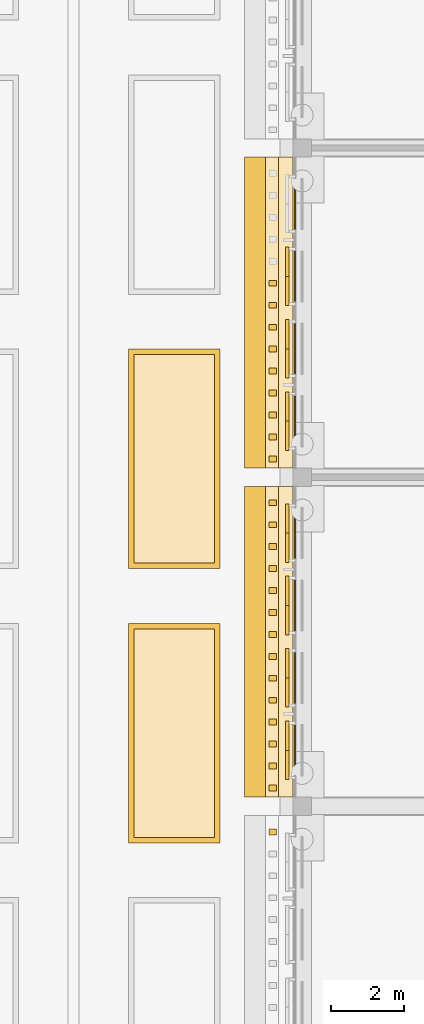
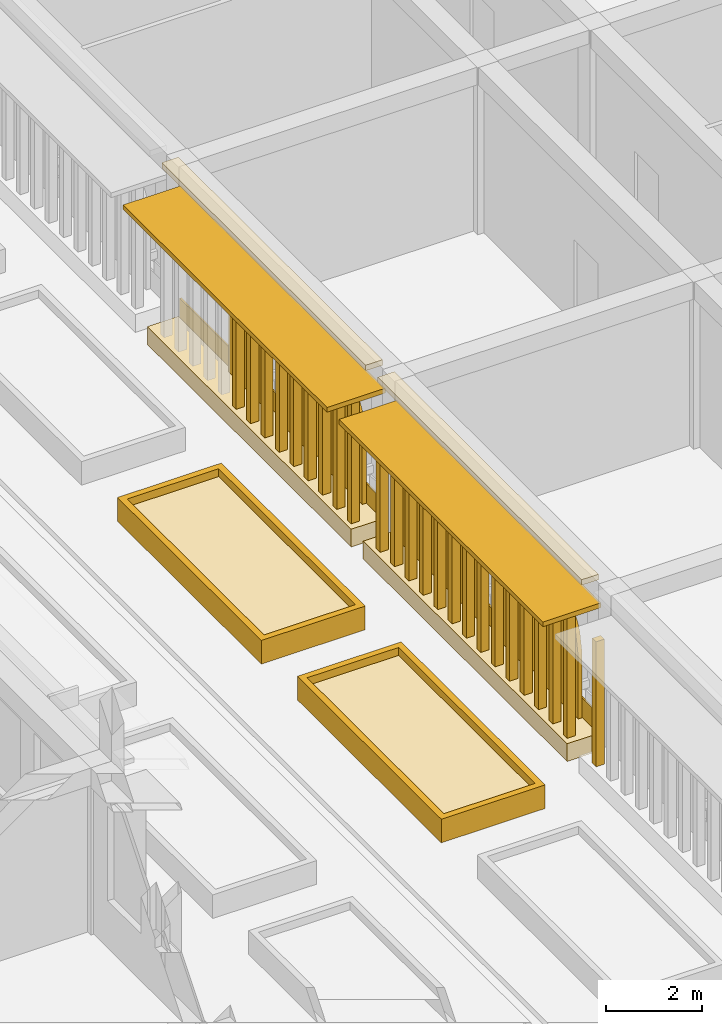
# One storey, part 129 of 161: 34 coverings, 9 shading devices.
"""IFC4 building model written with IfcOpenShell, lengths in metres."""

import ifcopenshell
import ifcopenshell.guid

model = None  # the IFC model being written
_history = None  # IfcOwnerHistory: only IFC2X3 demands one
_inside = {}  # id of a spatial element -> (the spatial element, [elements in it])
_under = {}  # id of a project, library or spatial element -> (it, [spatial elements below it])
_declared = {}  # id of a project -> (the project, [libraries it declares])
_typed = {}  # id of a type object -> (the type object, [elements of that type])
_made_of = {}  # id of a material, layer set ... -> (it, [elements and type objects made of it])


def new_model(schema):
    """Start an empty IFC model of exactly this schema.

    Asked for "IFC4X3", IfcOpenShell would pick the latest addendum, in which some entities
    have other attributes; the version numbers below select the first issue.
    IFC2X3 requires an IfcOwnerHistory on every rooted entity: one is made here for all.
    """
    global model, _history
    if schema == "IFC4X3":
        model = ifcopenshell.file(schema_version=(4, 3, 0, 0))
    else:
        model = ifcopenshell.file(schema=schema)
    _inside.clear()
    _under.clear()
    _declared.clear()
    _typed.clear()
    _made_of.clear()
    _history = None
    if model.schema == "IFC2X3":
        org = make("IfcOrganization", Name="unknown")
        user = make(
            "IfcPersonAndOrganization",
            ThePerson=make("IfcPerson", FamilyName="unknown"),
            TheOrganization=org,
        )
        app = make(
            "IfcApplication",
            ApplicationDeveloper=org,
            Version="unknown",
            ApplicationFullName="unknown",
            ApplicationIdentifier="unknown",
        )
        _history = make(
            "IfcOwnerHistory",
            OwningUser=user,
            OwningApplication=app,
            ChangeAction="ADDED",
            CreationDate=0,
        )
    return model


def make(cls, **values):
    """One entity of the class cls with the attributes given. An attribute that is None is left unset."""
    return model.create_entity(
        cls, **{name: value for name, value in values.items() if value is not None}
    )


def rooted(cls, **values):
    """An entity with a GlobalId (a new one), such as an element, a storey or a relation."""
    return make(cls, GlobalId=ifcopenshell.guid.new(), OwnerHistory=_history, **values)


def si_unit(unit_type, name, prefix=None):
    """IfcSIUnit, for example si_unit("LENGTHUNIT", "METRE", prefix="MILLI")."""
    return make("IfcSIUnit", UnitType=unit_type, Prefix=prefix, Name=name)


def assignment(units):
    """IfcUnitAssignment: the units of a project."""
    return None if units is None else make("IfcUnitAssignment", Units=units)


def point(xyz):
    """IfcCartesianPoint."""
    return None if xyz is None else make("IfcCartesianPoint", Coordinates=xyz)


def direction(xyz):
    """IfcDirection."""
    return None if xyz is None else make("IfcDirection", DirectionRatios=xyz)


def frame(location, z_axis=None, x_axis=None):
    """IfcAxis2Placement3D, a coordinate frame: its origin and axes. An axis left out is left unset."""
    return make(
        "IfcAxis2Placement3D",
        Location=point(location),
        Axis=direction(z_axis),
        RefDirection=direction(x_axis),
    )


def frame_2d(location, x_axis=None):
    """IfcAxis2Placement2D, a coordinate frame in the plane: its origin and x axis."""
    return make(
        "IfcAxis2Placement2D", Location=point(location), RefDirection=direction(x_axis)
    )


def origin():
    """The frame at (0, 0, 0) with its axes left unset."""
    return frame((0.0, 0.0, 0.0))


def origin_2d():
    """The frame at (0, 0) in the plane with its x axis left unset."""
    return frame_2d((0.0, 0.0))


def place(relative_to, where):
    """IfcLocalPlacement: puts the frame where relative to a parent placement (None: the world)."""
    return make(
        "IfcLocalPlacement", PlacementRelTo=relative_to, RelativePlacement=where
    )


def context(
    kind, dimensions, precision=None, world=None, true_north=None, identifier=None
):
    """IfcGeometricRepresentationContext, for example the 3D "Model" context."""
    return make(
        "IfcGeometricRepresentationContext",
        ContextIdentifier=identifier,
        ContextType=kind,
        CoordinateSpaceDimension=dimensions,
        Precision=precision,
        WorldCoordinateSystem=world,
        TrueNorth=true_north,
    )


def subcontext(parent, identifier, kind, view, scale=None):
    """IfcGeometricRepresentationSubContext, for example "Body" below "Model"."""
    return make(
        "IfcGeometricRepresentationSubContext",
        ContextIdentifier=identifier,
        ContextType=kind,
        ParentContext=parent,
        TargetScale=scale,
        TargetView=view,
    )


def project(units=None, contexts=None):
    """IfcProject with its units and contexts."""
    return rooted(
        "IfcProject",
        Name="project",
        RepresentationContexts=contexts,
        UnitsInContext=assignment(units),
    )


def spatial(cls, under=None, at=None, **own):
    """A site, building, storey or space (cls), placed at a placement, below another one or the project."""
    s = rooted(cls, ObjectPlacement=at, **own)
    if under is not None:
        _under.setdefault(under.id(), (under, []))[1].append(s)
    return s


def polyline(points):
    """IfcPolyline through the points."""
    return make("IfcPolyline", Points=[point(p) for p in points])


def profile(cls, at=None, kind="AREA", **sizes):
    """A parametric profile (cls). Its sizes go by their IFC names, for example OverallWidth=200.0."""
    return make(cls, ProfileType=kind, Position=at, **sizes)


def rectangle(**sizes):
    """IfcRectangleProfileDef."""
    return profile("IfcRectangleProfileDef", **sizes)


def outline(outer, holes=None, kind="AREA"):
    """IfcArbitraryClosedProfileDef: a profile drawn as a closed curve; with holes, ...WithVoids."""
    if holes is None:
        return make("IfcArbitraryClosedProfileDef", ProfileType=kind, OuterCurve=outer)
    return make(
        "IfcArbitraryProfileDefWithVoids",
        ProfileType=kind,
        OuterCurve=outer,
        InnerCurves=holes,
    )


def extrude(swept, where, along, depth):
    """IfcExtrudedAreaSolid: the profile swept, set in the frame where, extruded along a direction by depth."""
    return make(
        "IfcExtrudedAreaSolid",
        SweptArea=swept,
        Position=where,
        ExtrudedDirection=direction(along),
        Depth=depth,
    )


def shape(context_of_items, identifier, shape_type, items):
    """IfcShapeRepresentation: the items that make up one representation, for example the "Body"."""
    return make(
        "IfcShapeRepresentation",
        ContextOfItems=context_of_items,
        RepresentationIdentifier=identifier,
        RepresentationType=shape_type,
        Items=items,
    )


def material(Name=None, Category=None):
    """IfcMaterial."""
    return make("IfcMaterial", Name=Name, Category=Category)


def layer(
    of_material, thickness, ventilated=None, Name=None, Category=None, Priority=None
):
    """IfcMaterialLayer: one layer of a wall or slab, of a material (None: an air gap)."""
    return make(
        "IfcMaterialLayer",
        Material=of_material,
        LayerThickness=thickness,
        IsVentilated=ventilated,
        Name=Name,
        Category=Category,
        Priority=Priority,
    )


def layer_set(layers, Name=None):
    """IfcMaterialLayerSet."""
    return make("IfcMaterialLayerSet", MaterialLayers=layers, LayerSetName=Name)


def made_of(thing, what):
    """Note that an element or type object is made of a material, layer set ...; save() writes the relation."""
    if what is not None:
        _made_of.setdefault(what.id(), (what, []))[1].append(thing)
    return thing


def type_object(cls, material=None, **own):
    """A type object (cls), such as IfcWallType, which elements share."""
    return made_of(rooted(cls, **own), material)


def element(
    cls,
    number,
    at=None,
    inside=None,
    cuts=None,
    type_object=None,
    material=None,
    context=None,
    identifier="Body",
    shape_type=None,
    held_by="IfcProductDefinitionShape",
    body=None,
    shapes=None,
    **own,
):
    """One element of the class cls, such as IfcWall. Its Tag is "e" and its number.

    at: its placement. inside: the storey or other place that contains it. cuts: it is an
    opening in that element (IfcRelVoidsElement). A single representation is given by context,
    identifier, shape_type and body (its items); several are given by shapes. held_by: the class
    of the entity that holds the representations. save() writes the other relations.
    """
    e = rooted(cls, Tag="e%d" % number, ObjectPlacement=at, **own)
    if body is not None:
        shapes = [shape(context, identifier, shape_type, body)]
    if shapes is not None:
        e.Representation = make(held_by, Representations=shapes)
    if inside is not None:
        _inside.setdefault(inside.id(), (inside, []))[1].append(e)
    if cuts is not None:
        rooted(
            "IfcRelVoidsElement", RelatingBuildingElement=cuts, RelatedOpeningElement=e
        )
    if type_object is not None:
        _typed.setdefault(type_object.id(), (type_object, []))[1].append(e)
    return made_of(e, material)


def aggregate(whole, parts):
    """IfcRelAggregates: a whole, such as a stair, and the parts it consists of."""
    return rooted("IfcRelAggregates", RelatingObject=whole, RelatedObjects=parts)


def save(model, path):
    """Write the relations noted so far, then the file.

    IfcRelAggregates (storeys below a building ...), IfcRelContainedInSpatialStructure (elements
    in a storey), IfcRelDefinesByType, IfcRelAssociatesMaterial and IfcRelDeclares: one each for
    every whole, place, type object, material and project.
    """
    for whole, parts in _under.values():
        aggregate(whole, parts)
    for where, things in _inside.values():
        rooted(
            "IfcRelContainedInSpatialStructure",
            RelatedElements=things,
            RelatingStructure=where,
        )
    for kind, things in _typed.values():
        rooted("IfcRelDefinesByType", RelatedObjects=things, RelatingType=kind)
    for what, things in _made_of.values():
        rooted("IfcRelAssociatesMaterial", RelatedObjects=things, RelatingMaterial=what)
    for by, libraries in _declared.values():
        rooted("IfcRelDeclares", RelatingContext=by, RelatedDefinitions=libraries)
    model.write(path)


model = new_model("IFC4")

# Units and contexts
model_context = context("Model", 3, precision=1e-05, world=origin(), true_north=direction((0.0, 1.0)))
body_context = subcontext(model_context, "Body", "Model", "MODEL_VIEW")
ifc_project = project(units=[si_unit("LENGTHUNIT", "METRE"), si_unit("AREAUNIT", "SQUARE_METRE"), si_unit("VOLUMEUNIT", "CUBIC_METRE"), si_unit("PLANEANGLEUNIT", "RADIAN"), si_unit("MASSUNIT", "GRAM", prefix="KILO")], contexts=[model_context])

# Site, building, storey
site_placement = place(None, origin())
site = spatial("IfcSite", under=ifc_project, at=site_placement, CompositionType="ELEMENT")
building_placement = place(site_placement, origin())
building = spatial("IfcBuilding", under=site, at=building_placement, Name="Elbe Cascade School", CompositionType="ELEMENT")
storey_placement = place(building_placement, origin())
storey = spatial("IfcBuildingStorey", under=building, at=storey_placement, Name="L00", CompositionType="ELEMENT", Elevation=0.0)

# Shading devices
ifc_material_1 = material(Name="Precast concrete C30/37", Category="concrete")
ifc_layer_1 = layer(ifc_material_1, 0.1201171875)
ifc_layer_set_1 = layer_set([ifc_layer_1], Name="Precast concrete C30/37")
shading_device_type_1 = type_object("IfcShadingDeviceType", Name="Bars envelope Chhajja eave, precast concrete, 1400 x 120", PredefinedType="USERDEFINED", material=ifc_layer_set_1)
for number, where, z_axis, x_axis, name in (
    (1, (127.320068359375, 28.5, 3.6298828125), (0.0, 0.0, 1.0), (0.0, 1.0, 0.0), "Chhajja eave SD8 C.L00.w3"),
    (2, (127.320068359375, 37.5, 3.6298828125), (0.0, 0.0, 1.0), (0.0, 1.0, 0.0), "Chhajja eave SD8 C.L00.w4"),
):
    element("IfcShadingDevice", number, at=place(storey_placement, frame(where, z_axis=z_axis, x_axis=x_axis)), inside=storey, type_object=shading_device_type_1, Name=name, ObjectType="CHHAJJA", PredefinedType="USERDEFINED", context=body_context, shape_type="SweptSolid", body=[
        extrude(rectangle(XDim=8.5, YDim=1.39990234375, at=origin_2d()), origin(), (0.0, 0.0, 1.0), 0.1201171875),
    ])
ifc_material_2 = material(Name="Precast concrete C40/50", Category="concrete")
ifc_layer_2 = layer(ifc_material_2, 0.10009765625)
ifc_layer_set_2 = layer_set([ifc_layer_2], Name="Precast concrete C40/50")
shading_device_type_2 = type_object("IfcShadingDeviceType", Name="Bars envelope Jali screen 1600 x 2840, pointed arch rise 1200, pierced precast concrete", PredefinedType="USERDEFINED", material=ifc_layer_set_2)
shading_device_1_placement = place(storey_placement, frame((127.739990234375, 24.72998046875, 2.239990234375), z_axis=(-1.0, 0.0, 0.0), x_axis=(0.0, 0.196300278283, 0.98054382908)))
element("IfcShadingDevice", 3, at=shading_device_1_placement, inside=storey, type_object=shading_device_type_2, Name="Jali screen SD3 C.L00.w3.1", ObjectType="JALI", PredefinedType="USERDEFINED", context=body_context, shape_type="SweptSolid", body=[
    extrude(outline(polyline([(0.0, 0.0), (0.509921112317134, 0.0), (0.7186409460062186, 0.06005009918221829), (0.8735458233318658, 0.1311226852889124), (0.9982395622926888, 0.20799441476340969), (1.102872417131342, 0.2891312241218946), (1.1919448840573539, 0.37338315020117196), (1.268281725197354, 0.45993570394643946), (1.3336545243794973, 0.5489321924158467), (1.3075321958793382, 0.6559965916457164), (1.270445825421322, 0.7655049255997259), (1.220671754049922, 0.877553277802997), (1.155289369893253, 0.9924773561437888), (1.069846101614414, 1.1116665143685687), (0.9541916949707512, 1.2366548159611515), (0.7847223319636507, 1.37266560447821), (0.31409961520112845, 1.5689658827607584), (-1.2938869326328684, 1.8908772522001815), (-1.6079865478339967, 0.32191136943942317), (0.0, 0.0)])), origin(), (0.0, 0.0, -1.0), 0.10009765625),
])
for number, where, z_axis, x_axis, name in (
    (4, (127.739990234375, 26.7099609375, 2.239990234375), (-1.0, 0.0, 0.0), (0.0, 0.196300278283, 0.98054382908), "Jali screen SD3 C.L00.w3.2"),
    (5, (127.739990234375, 28.68994140625, 2.239990234375), (-1.0, 0.0, 0.0), (0.0, 0.196300278283, 0.98054382908), "Jali screen SD3 C.L00.w3.3"),
):
    element("IfcShadingDevice", number, at=place(storey_placement, frame(where, z_axis=z_axis, x_axis=x_axis)), inside=storey, type_object=shading_device_type_2, Name=name, ObjectType="JALI", PredefinedType="USERDEFINED", context=body_context, shape_type="SweptSolid", body=[
        extrude(outline(polyline([(0.0, 0.0), (0.509921112317134, 0.0), (0.7186409460062186, 0.06005009918221829), (0.8735458233318658, 0.1311226852889124), (0.9982874871653163, 0.20823380534668107), (1.102872417131342, 0.2891312241218946), (1.1919448840573539, 0.37338315020117196), (1.268281725197354, 0.45993570394643946), (1.3336545243794973, 0.5489321924158467), (1.3075801207519657, 0.6562359822289878), (1.270445825421322, 0.7655049255997259), (1.220671754049922, 0.877553277802997), (1.155289369893253, 0.9924773561437888), (1.069846101614414, 1.1116665143685687), (0.9542396198433787, 1.2368942065444228), (0.7847223319636507, 1.37266560447821), (0.31409961520112845, 1.5689658827607584), (-1.2938869326328684, 1.8908772522001815), (-1.6079865478339967, 0.32191136943942317), (0.0, 0.0)])), origin(), (0.0, 0.0, -1.0), 0.10009765625),
    ])
shading_device_2_placement = place(storey_placement, frame((127.739990234375, 30.669921875, 2.239990234375), z_axis=(-1.0, 0.0, 0.0), x_axis=(0.0, 0.196300278283, 0.98054382908)))
element("IfcShadingDevice", 6, at=shading_device_2_placement, inside=storey, type_object=shading_device_type_2, Name="Jali screen SD3 C.L00.w3.4", ObjectType="JALI", PredefinedType="USERDEFINED", context=body_context, shape_type="SweptSolid", body=[
    extrude(outline(polyline([(0.0, 0.0), (0.509921112317134, 0.0), (0.7186888708788461, 0.0602894897654897), (0.8735458233318658, 0.1311226852889124), (0.9982874871653163, 0.20823380534668107), (1.102872417131342, 0.2891312241218946), (1.1919448840573539, 0.37338315020117196), (1.2683296500699814, 0.46017509452971084), (1.3336545243794973, 0.5489321924158467), (1.3075801207519657, 0.6562359822289878), (1.270445825421322, 0.7655049255997259), (1.220671754049922, 0.877553277802997), (1.1553372947658807, 0.9927167467270602), (1.069846101614414, 1.1116665143685687), (0.9542396198433787, 1.2368942065444228), (0.7847223319636507, 1.37266560447821), (0.31409961520112845, 1.5689658827607584), (-1.2938869326328684, 1.8908772522001815), (-1.6079865478339967, 0.32191136943942317), (0.0, 0.0)])), origin(), (0.0, 0.0, -1.0), 0.10009765625),
])
shading_device_3_placement = place(storey_placement, frame((127.739990234375, 33.72998046875, 2.239990234375), z_axis=(-1.0, 0.0, 0.0), x_axis=(0.0, 0.196300278283, 0.98054382908)))
element("IfcShadingDevice", 7, at=shading_device_3_placement, inside=storey, type_object=shading_device_type_2, Name="Jali screen SD3 C.L00.w4.1", ObjectType="JALI", PredefinedType="USERDEFINED", context=body_context, shape_type="SweptSolid", body=[
    extrude(outline(polyline([(0.0, 0.0), (0.509921112317134, 0.0), (0.7186409460062186, 0.06005009918221829), (0.8735458233318658, 0.1311226852889124), (0.9982395622926888, 0.20799441476340969), (1.102872417131342, 0.2891312241218946), (1.1919448840573539, 0.37338315020117196), (1.268281725197354, 0.45993570394643946), (1.3336545243794973, 0.5489321924158467), (1.3075321958793382, 0.6559965916457164), (1.270445825421322, 0.7655049255997259), (1.220671754049922, 0.877553277802997), (1.155289369893253, 0.9924773561437888), (1.069846101614414, 1.1116665143685687), (0.9541916949707512, 1.2366548159611515), (0.7847223319636507, 1.37266560447821), (0.31409961520112845, 1.5689658827607584), (-1.2938869326328684, 1.8908772522001815), (-1.6079865478339967, 0.32191136943942317), (0.0, 0.0)])), origin(), (0.0, 0.0, -1.0), 0.10009765625),
])
for number, where, z_axis, x_axis, name in (
    (8, (127.739990234375, 35.7099609375, 2.239990234375), (-1.0, 0.0, 0.0), (0.0, 0.196300278283, 0.98054382908), "Jali screen SD3 C.L00.w4.2"),
    (9, (127.739990234375, 37.68994140625, 2.239990234375), (-1.0, 0.0, 0.0), (0.0, 0.196300278283, 0.98054382908), "Jali screen SD3 C.L00.w4.3"),
):
    element("IfcShadingDevice", number, at=place(storey_placement, frame(where, z_axis=z_axis, x_axis=x_axis)), inside=storey, type_object=shading_device_type_2, Name=name, ObjectType="JALI", PredefinedType="USERDEFINED", context=body_context, shape_type="SweptSolid", body=[
        extrude(outline(polyline([(0.0, 0.0), (0.509921112317134, 0.0), (0.7186409460062186, 0.06005009918221829), (0.8735458233318658, 0.1311226852889124), (0.9982874871653163, 0.20823380534668107), (1.102872417131342, 0.2891312241218946), (1.1919448840573539, 0.37338315020117196), (1.268281725197354, 0.45993570394643946), (1.3336545243794973, 0.5489321924158467), (1.3075801207519657, 0.6562359822289878), (1.270445825421322, 0.7655049255997259), (1.220671754049922, 0.877553277802997), (1.155289369893253, 0.9924773561437888), (1.069846101614414, 1.1116665143685687), (0.9542396198433787, 1.2368942065444228), (0.7847223319636507, 1.37266560447821), (0.31409961520112845, 1.5689658827607584), (-1.2938869326328684, 1.8908772522001815), (-1.6079865478339967, 0.32191136943942317), (0.0, 0.0)])), origin(), (0.0, 0.0, -1.0), 0.10009765625),
    ])

# Coverings
ifc_material_3 = material(Name="Sandstone - red", Category="masonry")
ifc_layer_3 = layer(ifc_material_3, 0.0400390625)
ifc_layer_set_3 = layer_set([ifc_layer_3], Name="Sandstone - red")
covering_type_1 = type_object("IfcCoveringType", Name="Bars envelope Sandstone cladding, red, 40 mm", PredefinedType="CLADDING", material=ifc_layer_set_3)
for number, where, z_axis, x_axis, name in (
    (10, (128.0, 28.5, 0.0), (0.0, 0.0, 1.0), (0.0, 1.0, 0.0), "Sandstone cladding CV48 C.L00.w.3.1"),
    (11, (128.0, 37.5, 0.0), (0.0, 0.0, 1.0), (0.0, 1.0, 0.0), "Sandstone cladding CV48 C.L00.w.4.1"),
):
    element("IfcCovering", number, at=place(storey_placement, frame(where, z_axis=z_axis, x_axis=x_axis)), inside=storey, type_object=covering_type_1, Name=name, PredefinedType="CLADDING", context=body_context, shape_type="SweptSolid", body=[
        extrude(rectangle(XDim=8.5, YDim=0.0400390625, at=origin_2d()), origin(), (0.0, 0.0, 1.0), 0.89990234375),
    ])
ifc_material_4 = material(Name="Sandstone - red", Category="masonry")
covering_type_2 = type_object("IfcCoveringType", Name="Bars envelope Sandstone floor ledge, 400 deep", PredefinedType="CLADDING", material=ifc_material_4)
for number, where, z_axis, x_axis, name in (
    (12, (127.75, 28.5, 4.35986328125), (0.0, 0.0, 1.0), (0.0, 1.0, 0.0), "Floor ledge CV64 C.L00.w2.1"),
    (13, (127.75, 37.5, 4.35986328125), (0.0, 0.0, 1.0), (0.0, 1.0, 0.0), "Floor ledge CV64 C.L00.w3.1"),
):
    element("IfcCovering", number, at=place(storey_placement, frame(where, z_axis=z_axis, x_axis=x_axis)), inside=storey, type_object=covering_type_2, Name=name, PredefinedType="CLADDING", context=body_context, shape_type="SweptSolid", body=[
        extrude(rectangle(XDim=8.5, YDim=0.39990234375, at=origin_2d()), origin(), (0.0, 0.0, 1.0), 0.139892578125),
    ])
ifc_material_5 = material(Name="Sandstone - red", Category="masonry")
covering_type_3 = type_object("IfcCoveringType", Name="Bars envelope Sandstone planter kerb, 750 deep", PredefinedType="CLADDING", material=ifc_material_5)
for number, where, z_axis, x_axis, name in (
    (14, (127.574951171875, 28.5, 0.0), (0.0, 0.0, 1.0), (0.0, 1.0, 0.0), "Planter kerb CV65 C.L00.w2.1"),
    (15, (127.574951171875, 37.5, 0.0), (0.0, 0.0, 1.0), (0.0, 1.0, 0.0), "Planter kerb CV65 C.L00.w3.1"),
):
    element("IfcCovering", number, at=place(storey_placement, frame(where, z_axis=z_axis, x_axis=x_axis)), inside=storey, type_object=covering_type_3, Name=name, PredefinedType="CLADDING", context=body_context, shape_type="SweptSolid", body=[
        extrude(rectangle(XDim=8.5, YDim=0.75, at=origin_2d()), origin(), (0.0, 0.0, 1.0), 0.449951171875),
    ])
ifc_material_6 = material(Name="Sandstone - red", Category="masonry")
covering_type_4 = type_object("IfcCoveringType", Name="Bars envelope Sandstone slat, 160 wide, 200 deep", PredefinedType="CLADDING", material=ifc_material_6)
for number, where, z_axis, x_axis, name in (
    (16, (127.39990234375, 23.300048828125, 0.4501953125), (0.0, 0.0, 1.0), (0.0, 1.0, 0.0), "Slat CV66 C.L00.w1.1.14"),
    (17, (127.39990234375, 24.5, 0.4501953125), (0.0, 0.0, 1.0), (0.0, 1.0, 0.0), "Slat CV66 C.L00.w2.1.1"),
    (18, (127.39990234375, 25.10009765625, 0.4501953125), (0.0, 0.0, 1.0), (0.0, 1.0, 0.0), "Slat CV66 C.L00.w2.1.2"),
    (19, (127.39990234375, 25.699951171875, 0.4501953125), (0.0, 0.0, 1.0), (0.0, 1.0, 0.0), "Slat CV66 C.L00.w2.1.3"),
    (20, (127.39990234375, 26.300048828125, 0.4501953125), (0.0, 0.0, 1.0), (0.0, 1.0, 0.0), "Slat CV66 C.L00.w2.1.4"),
    (21, (127.39990234375, 26.89990234375, 0.4501953125), (0.0, 0.0, 1.0), (0.0, 1.0, 0.0), "Slat CV66 C.L00.w2.1.5"),
    (22, (127.39990234375, 27.5, 0.4501953125), (0.0, 0.0, 1.0), (0.0, 1.0, 0.0), "Slat CV66 C.L00.w2.1.6"),
    (23, (127.39990234375, 28.10009765625, 0.4501953125), (0.0, 0.0, 1.0), (0.0, 1.0, 0.0), "Slat CV66 C.L00.w2.1.7"),
    (24, (127.39990234375, 28.699951171875, 0.4501953125), (0.0, 0.0, 1.0), (0.0, 1.0, 0.0), "Slat CV66 C.L00.w2.1.8"),
    (25, (127.39990234375, 29.300048828125, 0.4501953125), (0.0, 0.0, 1.0), (0.0, 1.0, 0.0), "Slat CV66 C.L00.w2.1.9"),
    (26, (127.39990234375, 29.89990234375, 0.4501953125), (0.0, 0.0, 1.0), (0.0, 1.0, 0.0), "Slat CV66 C.L00.w2.1.10"),
    (27, (127.39990234375, 30.5, 0.4501953125), (0.0, 0.0, 1.0), (0.0, 1.0, 0.0), "Slat CV66 C.L00.w2.1.11"),
    (28, (127.39990234375, 31.10009765625, 0.4501953125), (0.0, 0.0, 1.0), (0.0, 1.0, 0.0), "Slat CV66 C.L00.w2.1.12"),
    (29, (127.39990234375, 31.699951171875, 0.4501953125), (0.0, 0.0, 1.0), (0.0, 1.0, 0.0), "Slat CV66 C.L00.w2.1.13"),
    (30, (127.39990234375, 32.300048828125, 0.4501953125), (0.0, 0.0, 1.0), (0.0, 1.0, 0.0), "Slat CV66 C.L00.w2.1.14"),
    (31, (127.39990234375, 33.5, 0.4501953125), (0.0, 0.0, 1.0), (0.0, 1.0, 0.0), "Slat CV66 C.L00.w3.1.1"),
    (32, (127.39990234375, 34.10009765625, 0.4501953125), (0.0, 0.0, 1.0), (0.0, 1.0, 0.0), "Slat CV66 C.L00.w3.1.2"),
    (33, (127.39990234375, 34.699951171875, 0.4501953125), (0.0, 0.0, 1.0), (0.0, 1.0, 0.0), "Slat CV66 C.L00.w3.1.3"),
    (34, (127.39990234375, 35.300048828125, 0.4501953125), (0.0, 0.0, 1.0), (0.0, 1.0, 0.0), "Slat CV66 C.L00.w3.1.4"),
    (35, (127.39990234375, 35.89990234375, 0.4501953125), (0.0, 0.0, 1.0), (0.0, 1.0, 0.0), "Slat CV66 C.L00.w3.1.5"),
    (36, (127.39990234375, 36.5, 0.4501953125), (0.0, 0.0, 1.0), (0.0, 1.0, 0.0), "Slat CV66 C.L00.w3.1.6"),
    (37, (127.39990234375, 37.10009765625, 0.4501953125), (0.0, 0.0, 1.0), (0.0, 1.0, 0.0), "Slat CV66 C.L00.w3.1.7"),
    (38, (127.39990234375, 37.699951171875, 0.4501953125), (0.0, 0.0, 1.0), (0.0, 1.0, 0.0), "Slat CV66 C.L00.w3.1.8"),
    (39, (127.39990234375, 38.300048828125, 0.4501953125), (0.0, 0.0, 1.0), (0.0, 1.0, 0.0), "Slat CV66 C.L00.w3.1.9"),
):
    element("IfcCovering", number, at=place(storey_placement, frame(where, z_axis=z_axis, x_axis=x_axis)), inside=storey, type_object=covering_type_4, Name=name, PredefinedType="CLADDING", context=body_context, shape_type="SweptSolid", body=[
        extrude(rectangle(XDim=0.159912109375, YDim=0.199951171875, at=origin_2d()), origin(), (0.0, 0.0, 1.0), 3.179931640625),
    ])
ifc_material_7 = material(Name="Planting - soil and shrubs", Category="soil")
ifc_layer_4 = layer(ifc_material_7, 0.39990234375)
ifc_layer_set_4 = layer_set([ifc_layer_4], Name="Planting - soil and shrubs")
covering_type_5 = type_object("IfcCoveringType", Name="Site planting bed 400", PredefinedType="USERDEFINED", material=ifc_layer_set_4)
covering_1_placement = place(storey_placement, origin())
element("IfcCovering", 40, at=covering_1_placement, inside=storey, type_object=covering_type_5, Name="Court B-C planting bed east 3", ObjectType="PLANTING BED", PredefinedType="USERDEFINED", context=body_context, shape_type="SweptSolid", body=[
    extrude(outline(polyline([(123.60009765625, 23.14990234375), (125.800048828125, 23.14990234375), (125.800048828125, 28.85009765625), (123.60009765625, 28.85009765625), (123.60009765625, 23.14990234375)])), origin(), (0.0, 0.0, 1.0), 0.39990234375),
])
covering_2_placement = place(storey_placement, origin())
element("IfcCovering", 41, at=covering_2_placement, inside=storey, type_object=covering_type_5, Name="Court B-C planting bed east 4", ObjectType="PLANTING BED", PredefinedType="USERDEFINED", context=body_context, shape_type="SweptSolid", body=[
    extrude(outline(polyline([(123.60009765625, 30.64990234375), (125.800048828125, 30.64990234375), (125.800048828125, 36.35009765625), (123.60009765625, 36.35009765625), (123.60009765625, 30.64990234375)])), origin(), (0.0, 0.0, 1.0), 0.39990234375),
])
ifc_material_8 = material(Name="Concrete C30/37 precast kerb", Category="concrete")
ifc_layer_5 = layer(ifc_material_8, 0.14990234375)
ifc_layer_set_5 = layer_set([ifc_layer_5], Name="Concrete C30/37 precast kerb")
covering_type_6 = type_object("IfcCoveringType", Name="Site planting bed kerb 150x600", PredefinedType="CLADDING", material=ifc_layer_set_5)
covering_3_placement = place(storey_placement, origin())
element("IfcCovering", 42, at=covering_3_placement, inside=storey, type_object=covering_type_6, Name="Court B-C planting bed kerb east 3", PredefinedType="CLADDING", context=body_context, shape_type="SweptSolid", body=[
    extrude(outline(polyline([(123.449951171875, 23.0), (125.949951171875, 23.0), (125.949951171875, 29.0), (123.449951171875, 29.0), (123.449951171875, 23.0)]), holes=[polyline([(123.60009765625, 23.14990234375), (125.800048828125, 23.14990234375), (125.800048828125, 28.85009765625), (123.60009765625, 28.85009765625), (123.60009765625, 23.14990234375)])]), origin(), (0.0, 0.0, 1.0), 0.60009765625),
])
covering_4_placement = place(storey_placement, origin())
element("IfcCovering", 43, at=covering_4_placement, inside=storey, type_object=covering_type_6, Name="Court B-C planting bed kerb east 4", PredefinedType="CLADDING", context=body_context, shape_type="SweptSolid", body=[
    extrude(outline(polyline([(123.449951171875, 30.5), (125.949951171875, 30.5), (125.949951171875, 36.5), (123.449951171875, 36.5), (123.449951171875, 30.5)]), holes=[polyline([(123.60009765625, 30.64990234375), (125.800048828125, 30.64990234375), (125.800048828125, 36.35009765625), (123.60009765625, 36.35009765625), (123.60009765625, 30.64990234375)])]), origin(), (0.0, 0.0, 1.0), 0.60009765625),
])

save(model, "model.ifc")
